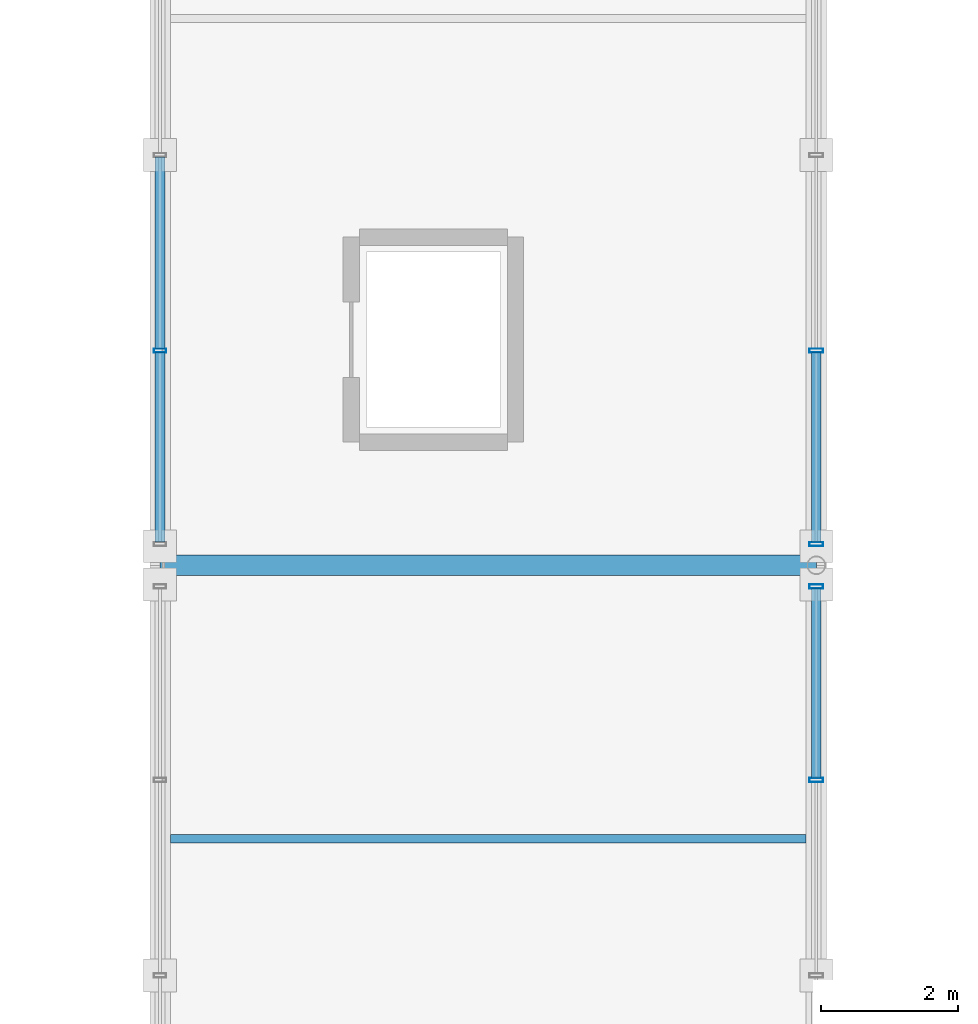
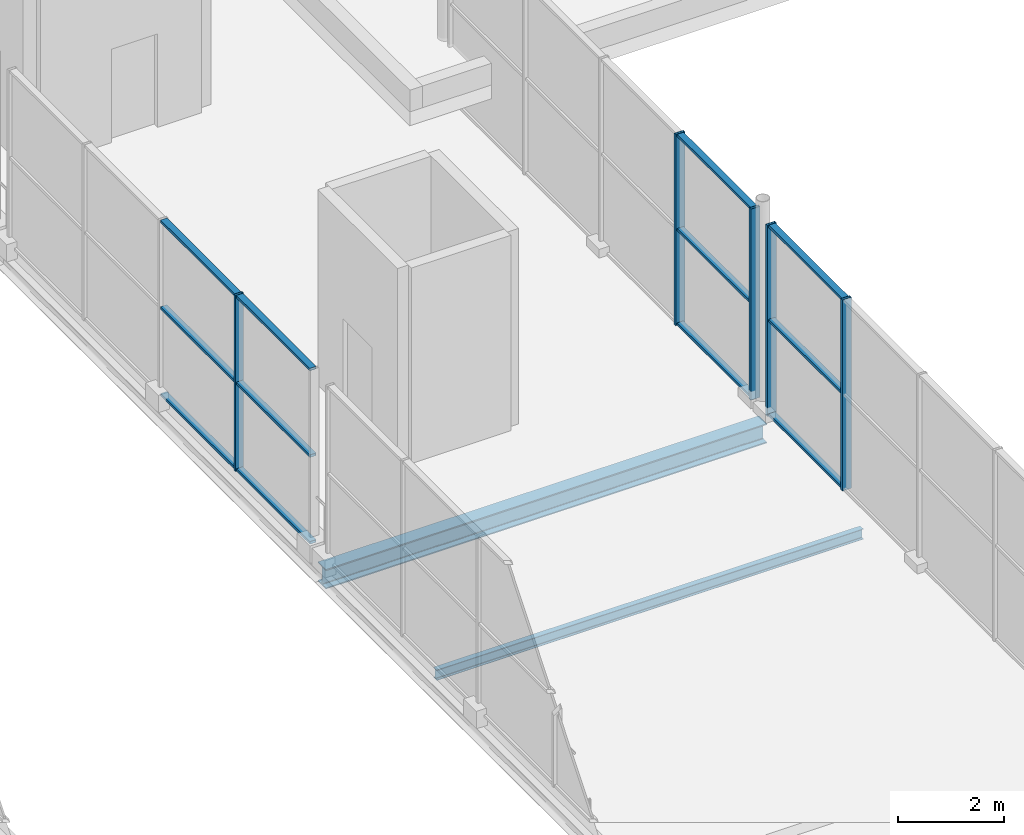
# One storey, part 91 of 159: 17 members, 2 beams, 3 elements without a shape of their own.
"""IFC4 building model written with IfcOpenShell, lengths in metres."""

from ifc_helpers import new_model, si_unit, direction, frame, origin, origin_2d, place, context, subcontext, project, spatial, hollow_rectangle, i_section, extrude, material, material_profile, profile_set, type_object, element, aggregate, save


model = new_model("IFC4")

# Units and contexts
model_context = context("Model", 3, precision=1e-05, world=origin(), true_north=direction((0.0, 1.0)))
body_context = subcontext(model_context, "Body", "Model", "MODEL_VIEW")
ifc_project = project(units=[si_unit("LENGTHUNIT", "METRE"), si_unit("AREAUNIT", "SQUARE_METRE"), si_unit("VOLUMEUNIT", "CUBIC_METRE"), si_unit("PLANEANGLEUNIT", "RADIAN"), si_unit("MASSUNIT", "GRAM", prefix="KILO")], contexts=[model_context])

# Site, building, storey
site_placement = place(None, origin())
site = spatial("IfcSite", under=ifc_project, at=site_placement, CompositionType="ELEMENT")
building_placement = place(site_placement, origin())
building = spatial("IfcBuilding", under=site, at=building_placement, Name="Merenkruunu Market Hall", CompositionType="ELEMENT")
storey_placement = place(building_placement, frame((0.0, 0.0, 5.39990234375)))
storey = spatial("IfcBuildingStorey", under=building, at=storey_placement, Name="L01", CompositionType="ELEMENT", Elevation=5.39990234375)

# Curtain wall, member
ifc_material_1 = material(Name="Powder-coated aluminium", Category="aluminium")
curtain_wall_type_1 = type_object("IfcCurtainWallType", Name="Glazed Curtain Wall CW16", PredefinedType="USERDEFINED", material=ifc_material_1)
curtain_wall_1_placement = place(storey_placement, origin())
curtain_wall_1 = element("IfcCurtainWall", 1, at=curtain_wall_1_placement, inside=storey, type_object=curtain_wall_type_1, Name="CW-L01-CWM02-177", ObjectType="GLAZED_FACADE", PredefinedType="USERDEFINED")
ifc_material_profile_1 = material_profile(ifc_material_1, hollow_rectangle(XDim=0.06005859375, YDim=0.179931640625, WallThickness=0.00390625, at=origin_2d()), Name="ALU 60x180x4")
ifc_profile_set_1 = profile_set([ifc_material_profile_1], Name="Powder-coated aluminium")
member_type_1 = type_object("IfcMemberType", Name="Curtain Wall Mullion CWM02", PredefinedType="MULLION", material=ifc_profile_set_1)
member_1_placement = place(storey_placement, frame((67.199951171875, 78.739990234375, 0.0), z_axis=(0.0, 0.0, 1.0), x_axis=(0.0, 1.0, 0.0)))
member_1 = element("IfcMember", 2, at=member_1_placement, type_object=member_type_1, Name="CW16 mullion 2", PredefinedType="MULLION", context=body_context, shape_type="SweptSolid", body=[
    extrude(hollow_rectangle(XDim=0.06005859375, YDim=0.179931640625, WallThickness=0.00390625, at=origin_2d()), origin(), (0.0, 0.0, 1.0), 4.050048828125),
])

# Curtain wall, members
curtain_wall_type_2 = type_object("IfcCurtainWallType", Name="Glazed Curtain Wall CW11", PredefinedType="USERDEFINED", material=ifc_material_1)
curtain_wall_2_placement = place(storey_placement, origin())
curtain_wall_2 = element("IfcCurtainWall", 3, at=curtain_wall_2_placement, inside=storey, type_object=curtain_wall_type_2, Name="CW-L01-CWM03-163", ObjectType="GLAZED_FACADE", PredefinedType="USERDEFINED")
ifc_material_profile_2 = material_profile(ifc_material_1, hollow_rectangle(XDim=0.06005859375, YDim=0.199951171875, WallThickness=0.0048828125, at=origin_2d()), Name="ALU 60x200x5")
ifc_profile_set_2 = profile_set([ifc_material_profile_2], Name="Powder-coated aluminium")
member_type_2 = type_object("IfcMemberType", Name="Curtain Wall Mullion CWM03", PredefinedType="MULLION", material=ifc_profile_set_2)
member_2_placement = place(storey_placement, frame((76.800048828125, 75.2900390625, 0.0), z_axis=(0.0, 0.0, 1.0), x_axis=(0.0, -1.0, 0.0)))
member_2 = element("IfcMember", 4, at=member_2_placement, type_object=member_type_2, Name="CW11 mullion 1", PredefinedType="MULLION", context=body_context, shape_type="SweptSolid", body=[
    extrude(hollow_rectangle(XDim=0.06005859375, YDim=0.199951171875, WallThickness=0.0048828125, at=origin_2d()), origin(), (0.0, 0.0, 1.0), 4.400146484375),
])
member_3_placement = place(storey_placement, frame((76.800048828125, 72.4599609375, 0.0), z_axis=(0.0, 0.0, 1.0), x_axis=(0.0, -1.0, 0.0)))
member_3 = element("IfcMember", 5, at=member_3_placement, type_object=member_type_2, Name="CW11 mullion 2", PredefinedType="MULLION", context=body_context, shape_type="SweptSolid", body=[
    extrude(hollow_rectangle(XDim=0.06005859375, YDim=0.199951171875, WallThickness=0.0048828125, at=origin_2d()), origin(), (0.0, 0.0, 1.0), 4.400146484375),
])

curtain_wall_3_placement = place(storey_placement, origin())
curtain_wall_3 = element("IfcCurtainWall", 6, at=curtain_wall_3_placement, inside=storey, type_object=curtain_wall_type_2, Name="CW-L01-CWM03-166", ObjectType="GLAZED_FACADE", PredefinedType="USERDEFINED")
member_4_placement = place(storey_placement, frame((76.800048828125, 78.739990234375, 0.0), z_axis=(0.0, 0.0, 1.0), x_axis=(0.0, -1.0, 0.0)))
member_4 = element("IfcMember", 7, at=member_4_placement, type_object=member_type_2, Name="CW11 mullion 4", PredefinedType="MULLION", context=body_context, shape_type="SweptSolid", body=[
    extrude(hollow_rectangle(XDim=0.06005859375, YDim=0.199951171875, WallThickness=0.0048828125, at=origin_2d()), origin(), (0.0, 0.0, 1.0), 4.400146484375),
])
member_5_placement = place(storey_placement, frame((76.800048828125, 75.909912109375, 0.0), z_axis=(0.0, 0.0, 1.0), x_axis=(0.0, -1.0, 0.0)))
member_5 = element("IfcMember", 8, at=member_5_placement, type_object=member_type_2, Name="CW11 mullion 5", PredefinedType="MULLION", context=body_context, shape_type="SweptSolid", body=[
    extrude(hollow_rectangle(XDim=0.06005859375, YDim=0.199951171875, WallThickness=0.0048828125, at=origin_2d()), origin(), (0.0, 0.0, 1.0), 4.400146484375),
])

# Member
ifc_material_profile_3 = material_profile(ifc_material_1, hollow_rectangle(XDim=0.06005859375, YDim=0.139892578125, WallThickness=0.00390625, at=origin_2d()), Name="ALU 60x140x4")
ifc_profile_set_3 = profile_set([ifc_material_profile_3], Name="Powder-coated aluminium")
member_type_3 = type_object("IfcMemberType", Name="Curtain Wall Transom CWT02", PredefinedType="USERDEFINED", material=ifc_profile_set_3)
member_6_placement = place(storey_placement, frame((76.800048828125, 75.260009765625, 0.030029296875), z_axis=(0.0, -1.0, 0.0), x_axis=(0.0, 0.0, 1.0)))
member_6 = element("IfcMember", 9, at=member_6_placement, type_object=member_type_3, Name="CW11 transom 1.1", ObjectType="TRANSOM", PredefinedType="USERDEFINED", context=body_context, shape_type="SweptSolid", body=[
    extrude(hollow_rectangle(XDim=0.06005859375, YDim=0.139892578125, WallThickness=0.00390625, at=origin_2d()), origin(), (0.0, 0.0, 1.0), 2.77001953125),
])

member_7_placement = place(storey_placement, frame((76.800048828125, 75.260009765625, 2.2001953125), z_axis=(0.0, -1.0, 0.0), x_axis=(0.0, 0.0, 1.0)))
member_7 = element("IfcMember", 10, at=member_7_placement, type_object=member_type_3, Name="CW11 transom 1.2", ObjectType="TRANSOM", PredefinedType="USERDEFINED", context=body_context, shape_type="SweptSolid", body=[
    extrude(hollow_rectangle(XDim=0.06005859375, YDim=0.139892578125, WallThickness=0.00390625, at=origin_2d()), origin(), (0.0, 0.0, 1.0), 2.77001953125),
])

member_8_placement = place(storey_placement, frame((76.800048828125, 75.260009765625, 4.3701171875), z_axis=(0.0, -1.0, 0.0), x_axis=(0.0, 0.0, 1.0)))
member_8 = element("IfcMember", 11, at=member_8_placement, type_object=member_type_3, Name="CW11 transom 1.3", ObjectType="TRANSOM", PredefinedType="USERDEFINED", context=body_context, shape_type="SweptSolid", body=[
    extrude(hollow_rectangle(XDim=0.06005859375, YDim=0.139892578125, WallThickness=0.00390625, at=origin_2d()), origin(), (0.0, 0.0, 1.0), 2.77001953125),
])

aggregate(curtain_wall_2, [member_2, member_3, member_6, member_7, member_8])

member_9_placement = place(storey_placement, frame((76.800048828125, 78.7099609375, 0.030029296875), z_axis=(0.0, -1.0, 0.0), x_axis=(0.0, 0.0, 1.0)))
member_9 = element("IfcMember", 12, at=member_9_placement, type_object=member_type_3, Name="CW11 transom 4.1", ObjectType="TRANSOM", PredefinedType="USERDEFINED", context=body_context, shape_type="SweptSolid", body=[
    extrude(hollow_rectangle(XDim=0.06005859375, YDim=0.139892578125, WallThickness=0.00390625, at=origin_2d()), origin(), (0.0, 0.0, 1.0), 2.77001953125),
])

member_10_placement = place(storey_placement, frame((76.800048828125, 78.7099609375, 2.2001953125), z_axis=(0.0, -1.0, 0.0), x_axis=(0.0, 0.0, 1.0)))
member_10 = element("IfcMember", 13, at=member_10_placement, type_object=member_type_3, Name="CW11 transom 4.2", ObjectType="TRANSOM", PredefinedType="USERDEFINED", context=body_context, shape_type="SweptSolid", body=[
    extrude(hollow_rectangle(XDim=0.06005859375, YDim=0.139892578125, WallThickness=0.00390625, at=origin_2d()), origin(), (0.0, 0.0, 1.0), 2.77001953125),
])

member_11_placement = place(storey_placement, frame((76.800048828125, 78.7099609375, 4.3701171875), z_axis=(0.0, -1.0, 0.0), x_axis=(0.0, 0.0, 1.0)))
member_11 = element("IfcMember", 14, at=member_11_placement, type_object=member_type_3, Name="CW11 transom 4.3", ObjectType="TRANSOM", PredefinedType="USERDEFINED", context=body_context, shape_type="SweptSolid", body=[
    extrude(hollow_rectangle(XDim=0.06005859375, YDim=0.139892578125, WallThickness=0.00390625, at=origin_2d()), origin(), (0.0, 0.0, 1.0), 2.77001953125),
])

aggregate(curtain_wall_3, [member_4, member_5, member_9, member_10, member_11])

member_12_placement = place(storey_placement, frame((67.199951171875, 75.93994140625, 0.030029296875), z_axis=(0.0, 1.0, 0.0), x_axis=(0.0, 0.0, 1.0)))
member_12 = element("IfcMember", 15, at=member_12_placement, type_object=member_type_3, Name="CW16 transom 1.1", ObjectType="TRANSOM", PredefinedType="USERDEFINED", context=body_context, shape_type="SweptSolid", body=[
    extrude(hollow_rectangle(XDim=0.06005859375, YDim=0.139892578125, WallThickness=0.00390625, at=origin_2d()), origin(), (0.0, 0.0, 1.0), 2.77001953125),
])

member_13_placement = place(storey_placement, frame((67.199951171875, 75.93994140625, 2.025146484375), z_axis=(0.0, 1.0, 0.0), x_axis=(0.0, 0.0, 1.0)))
member_13 = element("IfcMember", 16, at=member_13_placement, type_object=member_type_3, Name="CW16 transom 1.2", ObjectType="TRANSOM", PredefinedType="USERDEFINED", context=body_context, shape_type="SweptSolid", body=[
    extrude(hollow_rectangle(XDim=0.06005859375, YDim=0.139892578125, WallThickness=0.00390625, at=origin_2d()), origin(), (0.0, 0.0, 1.0), 2.77001953125),
])

member_14_placement = place(storey_placement, frame((67.199951171875, 75.93994140625, 4.02001953125), z_axis=(0.0, 1.0, 0.0), x_axis=(0.0, 0.0, 1.0)))
member_14 = element("IfcMember", 17, at=member_14_placement, type_object=member_type_3, Name="CW16 transom 1.3", ObjectType="TRANSOM", PredefinedType="USERDEFINED", context=body_context, shape_type="SweptSolid", body=[
    extrude(hollow_rectangle(XDim=0.06005859375, YDim=0.139892578125, WallThickness=0.00390625, at=origin_2d()), origin(), (0.0, 0.0, 1.0), 2.77001953125),
])

member_15_placement = place(storey_placement, frame((67.199951171875, 78.77001953125, 0.030029296875), z_axis=(0.0, 1.0, 0.0), x_axis=(0.0, 0.0, 1.0)))
member_15 = element("IfcMember", 18, at=member_15_placement, type_object=member_type_3, Name="CW16 transom 2.1", ObjectType="TRANSOM", PredefinedType="USERDEFINED", context=body_context, shape_type="SweptSolid", body=[
    extrude(hollow_rectangle(XDim=0.06005859375, YDim=0.139892578125, WallThickness=0.00390625, at=origin_2d()), origin(), (0.0, 0.0, 1.0), 2.800048828125),
])

member_16_placement = place(storey_placement, frame((67.199951171875, 78.77001953125, 2.025146484375), z_axis=(0.0, 1.0, 0.0), x_axis=(0.0, 0.0, 1.0)))
member_16 = element("IfcMember", 19, at=member_16_placement, type_object=member_type_3, Name="CW16 transom 2.2", ObjectType="TRANSOM", PredefinedType="USERDEFINED", context=body_context, shape_type="SweptSolid", body=[
    extrude(hollow_rectangle(XDim=0.06005859375, YDim=0.139892578125, WallThickness=0.00390625, at=origin_2d()), origin(), (0.0, 0.0, 1.0), 2.800048828125),
])

member_17_placement = place(storey_placement, frame((67.199951171875, 78.77001953125, 4.02001953125), z_axis=(0.0, 1.0, 0.0), x_axis=(0.0, 0.0, 1.0)))
member_17 = element("IfcMember", 20, at=member_17_placement, type_object=member_type_3, Name="CW16 transom 2.3", ObjectType="TRANSOM", PredefinedType="USERDEFINED", context=body_context, shape_type="SweptSolid", body=[
    extrude(hollow_rectangle(XDim=0.06005859375, YDim=0.139892578125, WallThickness=0.00390625, at=origin_2d()), origin(), (0.0, 0.0, 1.0), 2.800048828125),
])

aggregate(curtain_wall_1, [member_1, member_12, member_13, member_14, member_15, member_16, member_17])

# Beams
ifc_material_2 = material(Name="Steel S355J2", Category="steel")
ifc_material_profile_4 = material_profile(ifc_material_2, i_section(OverallWidth=0.300048828125, OverallDepth=0.449951171875, WebThickness=0.013916015625, FlangeThickness=0.02587890625, FilletRadius=0.027099609375, at=origin_2d()), Name="HEB 450")
ifc_profile_set_4 = profile_set([ifc_material_profile_4], Name="Steel S355J2")
beam_type_1 = type_object("IfcBeamType", Name="Primary Floor Girder B03", PredefinedType="BEAM", material=ifc_profile_set_4)
beam_1_placement = place(storey_placement, frame((67.199951171875, 75.60009765625, -0.534912109375), z_axis=(1.0, 0.0, 0.0), x_axis=(0.0, 1.0, 0.0)))
element("IfcBeam", 21, at=beam_1_placement, inside=storey, type_object=beam_type_1, Name="BM-L01-B03-0535", PredefinedType="BEAM", context=body_context, shape_type="SweptSolid", body=[
    extrude(i_section(OverallWidth=0.300048828125, OverallDepth=0.449951171875, WebThickness=0.013916015625, FlangeThickness=0.02587890625, FilletRadius=0.027099609375, at=origin_2d()), origin(), (0.0, 0.0, 1.0), 9.60009765625),
])
ifc_material_profile_5 = material_profile(ifc_material_2, i_section(OverallWidth=0.1201171875, OverallDepth=0.239990234375, WebThickness=0.006103515625, FlangeThickness=0.009765625, FilletRadius=0.014892578125, at=origin_2d()), Name="IPE 240")
ifc_profile_set_5 = profile_set([ifc_material_profile_5], Name="Steel S355J2")
beam_type_2 = type_object("IfcBeamType", Name="Secondary Floor Joist J05", PredefinedType="JOIST", material=ifc_profile_set_5)
beam_2_placement = place(storey_placement, frame((67.35302734375, 71.60009765625, -0.429931640625), z_axis=(1.0, 0.0, 0.0), x_axis=(0.0, 1.0, 0.0)))
element("IfcBeam", 22, at=beam_2_placement, inside=storey, type_object=beam_type_2, Name="BM-L01-J05-0685", PredefinedType="JOIST", context=body_context, shape_type="SweptSolid", body=[
    extrude(i_section(OverallWidth=0.1201171875, OverallDepth=0.239990234375, WebThickness=0.006103515625, FlangeThickness=0.009765625, FilletRadius=0.014892578125, at=origin_2d()), origin(), (0.0, 0.0, 1.0), 9.2939453125),
])

save(model, "model.ifc")
